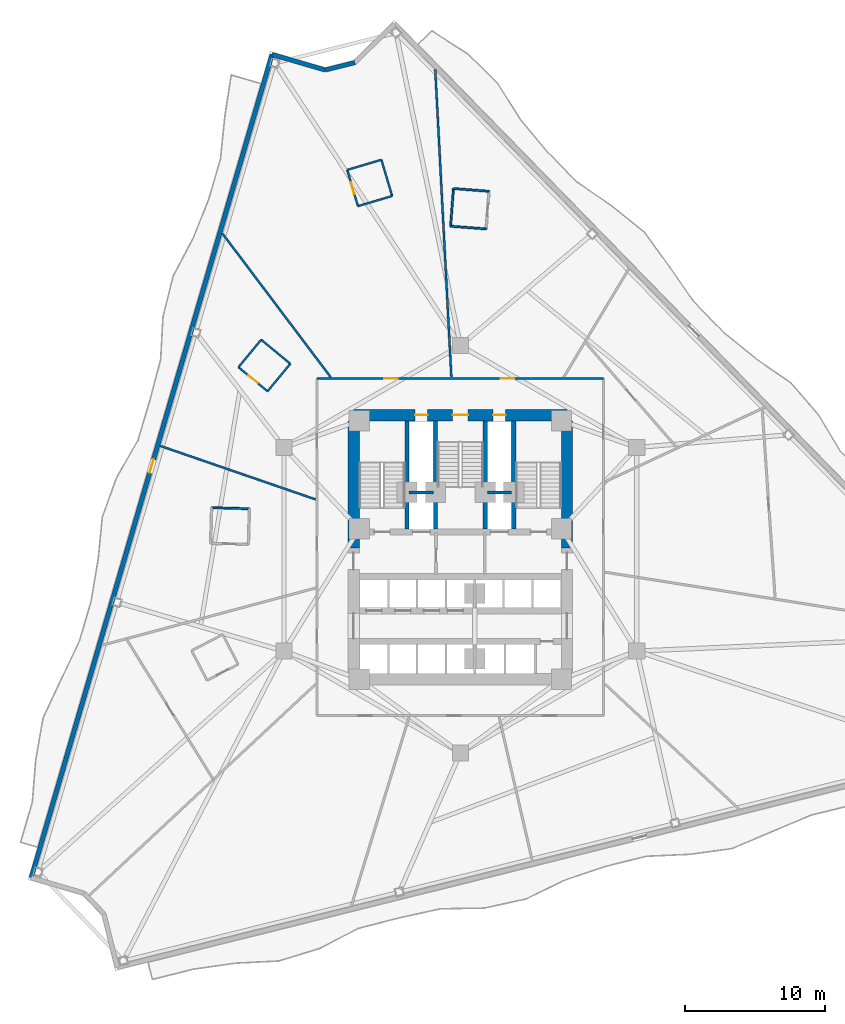
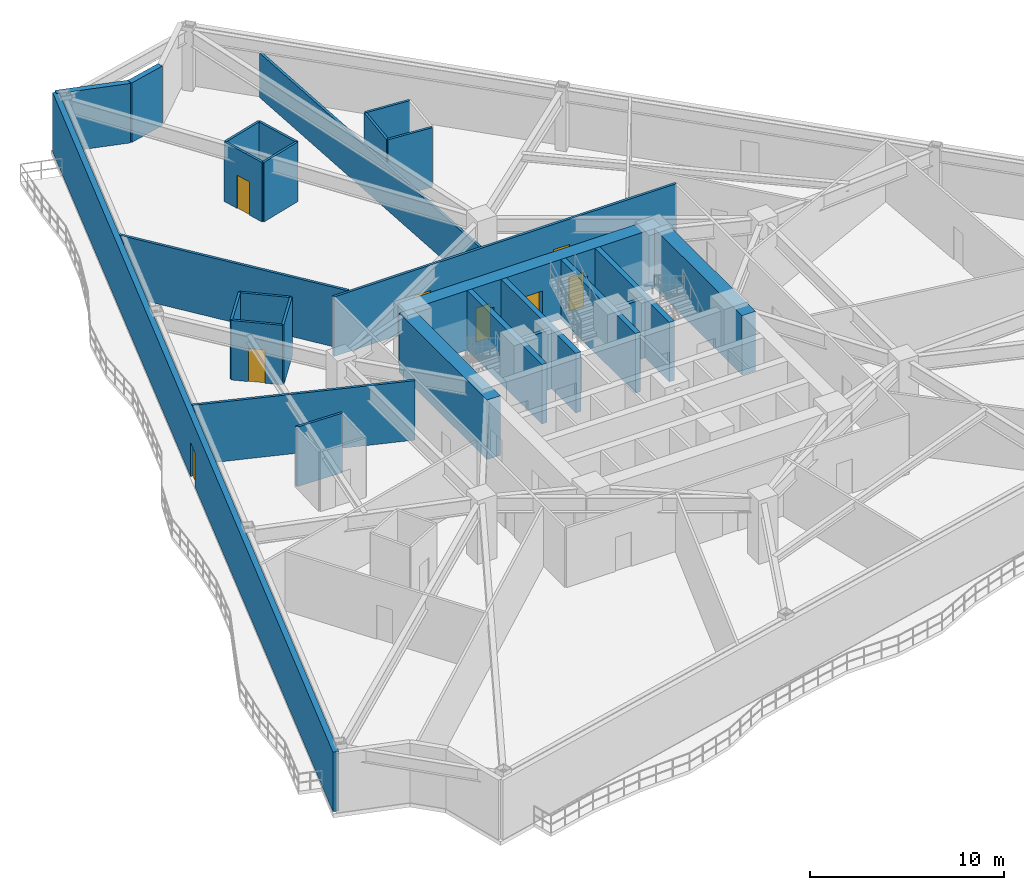
# One storey, part 5 of 10: 28 walls, 8 doors, 8 openings.
"""IFC4 building model written with IfcOpenShell, lengths in metres."""

import ifcopenshell
import ifcopenshell.guid

model = None  # the IFC model being written
_history = None  # IfcOwnerHistory: only IFC2X3 demands one
_inside = {}  # id of a spatial element -> (the spatial element, [elements in it])
_under = {}  # id of a project, library or spatial element -> (it, [spatial elements below it])
_declared = {}  # id of a project -> (the project, [libraries it declares])
_typed = {}  # id of a type object -> (the type object, [elements of that type])
_made_of = {}  # id of a material, layer set ... -> (it, [elements and type objects made of it])


def new_model(schema):
    """Start an empty IFC model of exactly this schema.

    Asked for "IFC4X3", IfcOpenShell would pick the latest addendum, in which some entities
    have other attributes; the version numbers below select the first issue.
    IFC2X3 requires an IfcOwnerHistory on every rooted entity: one is made here for all.
    """
    global model, _history
    if schema == "IFC4X3":
        model = ifcopenshell.file(schema_version=(4, 3, 0, 0))
    else:
        model = ifcopenshell.file(schema=schema)
    _inside.clear()
    _under.clear()
    _declared.clear()
    _typed.clear()
    _made_of.clear()
    _history = None
    if model.schema == "IFC2X3":
        org = make("IfcOrganization", Name="unknown")
        user = make(
            "IfcPersonAndOrganization",
            ThePerson=make("IfcPerson", FamilyName="unknown"),
            TheOrganization=org,
        )
        app = make(
            "IfcApplication",
            ApplicationDeveloper=org,
            Version="unknown",
            ApplicationFullName="unknown",
            ApplicationIdentifier="unknown",
        )
        _history = make(
            "IfcOwnerHistory",
            OwningUser=user,
            OwningApplication=app,
            ChangeAction="ADDED",
            CreationDate=0,
        )
    return model


def make(cls, **values):
    """One entity of the class cls with the attributes given. An attribute that is None is left unset."""
    return model.create_entity(
        cls, **{name: value for name, value in values.items() if value is not None}
    )


def rooted(cls, **values):
    """An entity with a GlobalId (a new one), such as an element, a storey or a relation."""
    return make(cls, GlobalId=ifcopenshell.guid.new(), OwnerHistory=_history, **values)


def si_unit(unit_type, name, prefix=None):
    """IfcSIUnit, for example si_unit("LENGTHUNIT", "METRE", prefix="MILLI")."""
    return make("IfcSIUnit", UnitType=unit_type, Prefix=prefix, Name=name)


def assignment(units):
    """IfcUnitAssignment: the units of a project."""
    return None if units is None else make("IfcUnitAssignment", Units=units)


def point(xyz):
    """IfcCartesianPoint."""
    return None if xyz is None else make("IfcCartesianPoint", Coordinates=xyz)


def direction(xyz):
    """IfcDirection."""
    return None if xyz is None else make("IfcDirection", DirectionRatios=xyz)


def frame(location, z_axis=None, x_axis=None):
    """IfcAxis2Placement3D, a coordinate frame: its origin and axes. An axis left out is left unset."""
    return make(
        "IfcAxis2Placement3D",
        Location=point(location),
        Axis=direction(z_axis),
        RefDirection=direction(x_axis),
    )


def frame_2d(location, x_axis=None):
    """IfcAxis2Placement2D, a coordinate frame in the plane: its origin and x axis."""
    return make(
        "IfcAxis2Placement2D", Location=point(location), RefDirection=direction(x_axis)
    )


def origin():
    """The frame at (0, 0, 0) with its axes left unset."""
    return frame((0.0, 0.0, 0.0))


def place(relative_to, where):
    """IfcLocalPlacement: puts the frame where relative to a parent placement (None: the world)."""
    return make(
        "IfcLocalPlacement", PlacementRelTo=relative_to, RelativePlacement=where
    )


def context(
    kind, dimensions, precision=None, world=None, true_north=None, identifier=None
):
    """IfcGeometricRepresentationContext, for example the 3D "Model" context."""
    return make(
        "IfcGeometricRepresentationContext",
        ContextIdentifier=identifier,
        ContextType=kind,
        CoordinateSpaceDimension=dimensions,
        Precision=precision,
        WorldCoordinateSystem=world,
        TrueNorth=true_north,
    )


def subcontext(parent, identifier, kind, view, scale=None):
    """IfcGeometricRepresentationSubContext, for example "Body" below "Model"."""
    return make(
        "IfcGeometricRepresentationSubContext",
        ContextIdentifier=identifier,
        ContextType=kind,
        ParentContext=parent,
        TargetScale=scale,
        TargetView=view,
    )


def project(units=None, contexts=None):
    """IfcProject with its units and contexts."""
    return rooted(
        "IfcProject",
        Name="project",
        RepresentationContexts=contexts,
        UnitsInContext=assignment(units),
    )


def spatial(cls, under=None, at=None, **own):
    """A site, building, storey or space (cls), placed at a placement, below another one or the project."""
    s = rooted(cls, ObjectPlacement=at, **own)
    if under is not None:
        _under.setdefault(under.id(), (under, []))[1].append(s)
    return s


def profile(cls, at=None, kind="AREA", **sizes):
    """A parametric profile (cls). Its sizes go by their IFC names, for example OverallWidth=200.0."""
    return make(cls, ProfileType=kind, Position=at, **sizes)


def rectangle(**sizes):
    """IfcRectangleProfileDef."""
    return profile("IfcRectangleProfileDef", **sizes)


def extrude(swept, where, along, depth):
    """IfcExtrudedAreaSolid: the profile swept, set in the frame where, extruded along a direction by depth."""
    return make(
        "IfcExtrudedAreaSolid",
        SweptArea=swept,
        Position=where,
        ExtrudedDirection=direction(along),
        Depth=depth,
    )


def shape(context_of_items, identifier, shape_type, items):
    """IfcShapeRepresentation: the items that make up one representation, for example the "Body"."""
    return make(
        "IfcShapeRepresentation",
        ContextOfItems=context_of_items,
        RepresentationIdentifier=identifier,
        RepresentationType=shape_type,
        Items=items,
    )


def material(Name=None, Category=None):
    """IfcMaterial."""
    return make("IfcMaterial", Name=Name, Category=Category)


def layer(
    of_material, thickness, ventilated=None, Name=None, Category=None, Priority=None
):
    """IfcMaterialLayer: one layer of a wall or slab, of a material (None: an air gap)."""
    return make(
        "IfcMaterialLayer",
        Material=of_material,
        LayerThickness=thickness,
        IsVentilated=ventilated,
        Name=Name,
        Category=Category,
        Priority=Priority,
    )


def layer_set(layers, Name=None):
    """IfcMaterialLayerSet."""
    return make("IfcMaterialLayerSet", MaterialLayers=layers, LayerSetName=Name)


def made_of(thing, what):
    """Note that an element or type object is made of a material, layer set ...; save() writes the relation."""
    if what is not None:
        _made_of.setdefault(what.id(), (what, []))[1].append(thing)
    return thing


def type_object(cls, material=None, **own):
    """A type object (cls), such as IfcWallType, which elements share."""
    return made_of(rooted(cls, **own), material)


def element(
    cls,
    number,
    at=None,
    inside=None,
    cuts=None,
    type_object=None,
    material=None,
    context=None,
    identifier="Body",
    shape_type=None,
    held_by="IfcProductDefinitionShape",
    body=None,
    shapes=None,
    **own,
):
    """One element of the class cls, such as IfcWall. Its Tag is "e" and its number.

    at: its placement. inside: the storey or other place that contains it. cuts: it is an
    opening in that element (IfcRelVoidsElement). A single representation is given by context,
    identifier, shape_type and body (its items); several are given by shapes. held_by: the class
    of the entity that holds the representations. save() writes the other relations.
    """
    e = rooted(cls, Tag="e%d" % number, ObjectPlacement=at, **own)
    if body is not None:
        shapes = [shape(context, identifier, shape_type, body)]
    if shapes is not None:
        e.Representation = make(held_by, Representations=shapes)
    if inside is not None:
        _inside.setdefault(inside.id(), (inside, []))[1].append(e)
    if cuts is not None:
        rooted(
            "IfcRelVoidsElement", RelatingBuildingElement=cuts, RelatedOpeningElement=e
        )
    if type_object is not None:
        _typed.setdefault(type_object.id(), (type_object, []))[1].append(e)
    return made_of(e, material)


def fill(opening, filler):
    """IfcRelFillsElement: the door or window that sits in an opening."""
    return rooted(
        "IfcRelFillsElement",
        RelatingOpeningElement=opening,
        RelatedBuildingElement=filler,
    )


def aggregate(whole, parts):
    """IfcRelAggregates: a whole, such as a stair, and the parts it consists of."""
    return rooted("IfcRelAggregates", RelatingObject=whole, RelatedObjects=parts)


def save(model, path):
    """Write the relations noted so far, then the file.

    IfcRelAggregates (storeys below a building ...), IfcRelContainedInSpatialStructure (elements
    in a storey), IfcRelDefinesByType, IfcRelAssociatesMaterial and IfcRelDeclares: one each for
    every whole, place, type object, material and project.
    """
    for whole, parts in _under.values():
        aggregate(whole, parts)
    for where, things in _inside.values():
        rooted(
            "IfcRelContainedInSpatialStructure",
            RelatedElements=things,
            RelatingStructure=where,
        )
    for kind, things in _typed.values():
        rooted("IfcRelDefinesByType", RelatedObjects=things, RelatingType=kind)
    for what, things in _made_of.values():
        rooted("IfcRelAssociatesMaterial", RelatedObjects=things, RelatingMaterial=what)
    for by, libraries in _declared.values():
        rooted("IfcRelDeclares", RelatingContext=by, RelatedDefinitions=libraries)
    model.write(path)


model = new_model("IFC4")

# Units and contexts
model_context = context("Model", 3, precision=1e-05, world=origin(), true_north=direction((0.0, 1.0)))
body_context = subcontext(model_context, "Body", "Model", "MODEL_VIEW")
ifc_project = project(units=[si_unit("LENGTHUNIT", "METRE"), si_unit("AREAUNIT", "SQUARE_METRE"), si_unit("VOLUMEUNIT", "CUBIC_METRE"), si_unit("PLANEANGLEUNIT", "RADIAN"), si_unit("MASSUNIT", "GRAM", prefix="KILO")], contexts=[model_context])

# Site, building, storey
site_placement = place(None, origin())
site = spatial("IfcSite", under=ifc_project, at=site_placement, CompositionType="ELEMENT")
building_placement = place(site_placement, origin())
building = spatial("IfcBuilding", under=site, at=building_placement, Name="Apsidion Concourse Tower", CompositionType="ELEMENT")
storey_placement = place(building_placement, frame((0.0, 0.0, 115.0)))
storey = spatial("IfcBuildingStorey", under=building, at=storey_placement, Name="L26", CompositionType="ELEMENT", Elevation=115.0)

# Wall, opening, door
ifc_material_1 = material(Name="Precast concrete C40/50", Category="concrete")
ifc_layer_1 = layer(ifc_material_1, 0.320068359375)
ifc_layer_set_1 = layer_set([ifc_layer_1], Name="Precast concrete C40/50")
wall_type_1 = type_object("IfcWallType", Name="WL-EXT-320", PredefinedType="STANDARD", material=ifc_layer_set_1)
wall_1_placement = place(storey_placement, frame((-30.55908203125, -23.389404296875, 0.0), z_axis=(0.0, 0.0, 1.0), x_axis=(0.280769703207, 0.95977516834, 0.0)))
wall_1 = element("IfcWall", 1, at=wall_1_placement, inside=storey, type_object=wall_type_1, Name="L26 Precast Stone Facade Wall 09", PredefinedType="STANDARD", context=body_context, shape_type="SweptSolid", body=[
    extrude(rectangle(XDim=61.07568359375, YDim=0.320068359375, at=frame_2d((30.537841796875, 0.0))), origin(), (0.0, 0.0, 1.0), 3.75),
])
opening_1_placement = place(wall_1_placement, frame((30.037841796875, 0.0, 0.0)))
opening_1 = element("IfcOpeningElement", 2, at=opening_1_placement, cuts=wall_1, Name="Opening D-T1L", PredefinedType="OPENING", context=body_context, shape_type="SweptSolid", body=[
    extrude(rectangle(XDim=1.0, YDim=2.14990234375, at=frame_2d((0.5, 1.074951171875))), frame((0.0, 0.169921875, 0.0), z_axis=(0.0, -1.0, 0.0), x_axis=(1.0, 0.0, 0.0)), (0.0, 0.0, 1.0), 0.340087890625),
])
ifc_material_2 = material(Name="Anodised aluminium EN AW-6063 T6", Category="aluminium")
door_type_1 = type_object("IfcDoorType", Name="DR-TER-1022L", OperationType="SINGLE_SWING_LEFT", PredefinedType="DOOR", material=ifc_material_2)
door_1_placement = place(opening_1_placement, origin())
door_1 = element("IfcDoor", 3, at=door_1_placement, inside=storey, type_object=door_type_1, Name="L26 Balcony Access Door 1", OperationType="SINGLE_SWING_LEFT", OverallHeight=2.14990234375, OverallWidth=1.0, PredefinedType="DOOR", context=body_context, shape_type="SweptSolid", body=[
    extrude(rectangle(XDim=1.0, YDim=2.14990234375, at=frame_2d((0.5, 1.074951171875))), frame((0.0, 0.02490234375, 0.0), z_axis=(0.0, -1.0, 0.0), x_axis=(1.0, 0.0, 0.0)), (0.0, 0.0, 1.0), 0.050048828125),
])
fill(opening_1, door_1)

# Walls
wall_2_placement = place(storey_placement, frame((-13.410888671875, 35.2294921875, 0.0), z_axis=(0.0, 0.0, 1.0), x_axis=(0.959788404321, -0.280724453747, 0.0)))
element("IfcWall", 4, at=wall_2_placement, inside=storey, type_object=wall_type_1, Name="L26 Precast Stone Facade Wall 10", PredefinedType="STANDARD", context=body_context, shape_type="SweptSolid", body=[
    extrude(rectangle(XDim=3.93359375, YDim=0.320068359375, at=frame_2d((1.966796875, 0.0))), origin(), (0.0, 0.0, 1.0), 3.75),
])
wall_3_placement = place(storey_placement, frame((-9.635498046875, 34.125244140625, 0.0), z_axis=(0.0, 0.0, 1.0), x_axis=(0.970306423964, 0.241878985475, 0.0)))
element("IfcWall", 5, at=wall_3_placement, inside=storey, type_object=wall_type_1, Name="L26 Precast Stone Facade Wall 11", PredefinedType="STANDARD", context=body_context, shape_type="SweptSolid", body=[
    extrude(rectangle(XDim=2.187255859375, YDim=0.320068359375, at=frame_2d((1.09375, 0.0))), origin(), (0.0, 0.0, 1.0), 3.75),
])
ifc_material_3 = material(Name="Gypsum plasterboard partition")
ifc_layer_2 = layer(ifc_material_3, 0.139892578125)
ifc_layer_set_2 = layer_set([ifc_layer_2], Name="Gypsum plasterboard partition")
wall_type_2 = type_object("IfcWallType", Name="WL-INT-PAR-140", PredefinedType="PARTITIONING", material=ifc_layer_set_2)
wall_4_placement = place(storey_placement, frame((2.04052734375, 25.48828125, 0.0), z_axis=(0.0, 0.0, 1.0), x_axis=(-0.997046564476, 0.076799402778, 0.0)))
element("IfcWall", 6, at=wall_4_placement, inside=storey, type_object=wall_type_2, Name="L26 Interior Partition WL-L26-POD-ENS07-S2", PredefinedType="PARTITIONING", context=body_context, shape_type="SweptSolid", body=[
    extrude(rectangle(XDim=2.5400390625, YDim=0.139892578125, at=frame_2d((1.27001953125, 0.0))), origin(), (0.0, 0.0, 1.0), 3.75),
])
wall_5_placement = place(storey_placement, frame((-0.491943359375, 25.683349609375, 0.0), z_axis=(0.0, 0.0, 1.0), x_axis=(-0.076689558651, -0.997055019341, 0.0)))
element("IfcWall", 7, at=wall_5_placement, inside=storey, type_object=wall_type_2, Name="L26 Interior Partition WL-L26-POD-ENS07-S3", PredefinedType="PARTITIONING", context=body_context, shape_type="SweptSolid", body=[
    extrude(rectangle(XDim=2.68994140625, YDim=0.139892578125, at=frame_2d((1.344970703125, 0.0))), origin(), (0.0, 0.0, 1.0), 3.75),
])
wall_6_placement = place(storey_placement, frame((-0.6982421875, 23.001220703125, 0.0), z_axis=(0.0, 0.0, 1.0), x_axis=(0.997053920062, -0.076703849244, 0.0)))
element("IfcWall", 8, at=wall_6_placement, inside=storey, type_object=wall_type_2, Name="L26 Interior Partition WL-L26-POD-ENS07-S4", PredefinedType="PARTITIONING", context=body_context, shape_type="SweptSolid", body=[
    extrude(rectangle(XDim=2.5400390625, YDim=0.139892578125, at=frame_2d((1.27001953125, 0.0))), origin(), (0.0, 0.0, 1.0), 3.75),
])
wall_7_placement = place(storey_placement, frame((-4.85888671875, 25.152587890625, 0.0), z_axis=(0.0, 0.0, 1.0), x_axis=(-0.283973996327, 0.958831981846, 0.0)))
element("IfcWall", 9, at=wall_7_placement, inside=storey, type_object=wall_type_2, Name="L26 Interior Partition WL-L26-POD-ENS08-S1", PredefinedType="PARTITIONING", context=body_context, shape_type="SweptSolid", body=[
    extrude(rectangle(XDim=2.690185546875, YDim=0.139892578125, at=frame_2d((1.34521484375, 0.0))), origin(), (0.0, 0.0, 1.0), 3.75),
])
wall_8_placement = place(storey_placement, frame((-5.622802734375, 27.73193359375, 0.0), z_axis=(0.0, 0.0, 1.0), x_axis=(-0.95881265696, -0.284039238227, 0.0)))
element("IfcWall", 10, at=wall_8_placement, inside=storey, type_object=wall_type_2, Name="L26 Interior Partition WL-L26-POD-ENS08-S2", PredefinedType="PARTITIONING", context=body_context, shape_type="SweptSolid", body=[
    extrude(rectangle(XDim=2.539794921875, YDim=0.139892578125, at=frame_2d((1.27001953125, 0.0))), origin(), (0.0, 0.0, 1.0), 3.75),
])

# Wall, opening, door
wall_9_placement = place(storey_placement, frame((-8.05810546875, 27.010498046875, 0.0), z_axis=(0.0, 0.0, 1.0), x_axis=(0.283973996327, -0.958831981846, 0.0)))
wall_9 = element("IfcWall", 11, at=wall_9_placement, inside=storey, type_object=wall_type_2, Name="L26 Interior Partition WL-L26-POD-ENS08-S3", PredefinedType="PARTITIONING", context=body_context, shape_type="SweptSolid", body=[
    extrude(rectangle(XDim=2.690185546875, YDim=0.139892578125, at=frame_2d((1.34521484375, 0.0))), origin(), (0.0, 0.0, 1.0), 3.75),
])
opening_2_placement = place(wall_9_placement, frame((0.905029296875, 0.0, 0.0)))
opening_2 = element("IfcOpeningElement", 12, at=opening_2_placement, cuts=wall_9, Name="Opening D-03L", PredefinedType="OPENING", context=body_context, shape_type="SweptSolid", body=[
    extrude(rectangle(XDim=0.8798828125, YDim=2.10009765625, at=frame_2d((0.43994140625, 1.050048828125))), frame((0.0, 0.080078125, 0.0), z_axis=(0.0, -1.0, 0.0), x_axis=(1.0, 0.0, 0.0)), (0.0, 0.0, 1.0), 0.159912109375),
])
door_type_2 = type_object("IfcDoorType", Name="DR-INT-D03L", OperationType="SINGLE_SWING_LEFT", PredefinedType="DOOR", material=ifc_material_2)
door_2_placement = place(opening_2_placement, origin())
door_2 = element("IfcDoor", 13, at=door_2_placement, inside=storey, type_object=door_type_2, Name="L26 Guest En-Suite Bathroom Door ENS08", OperationType="SINGLE_SWING_LEFT", OverallHeight=2.10009765625, OverallWidth=0.8798828125, PredefinedType="DOOR", context=body_context, shape_type="SweptSolid", body=[
    extrude(rectangle(XDim=0.8798828125, YDim=2.10009765625, at=frame_2d((0.43994140625, 1.050048828125))), frame((0.0, 0.02490234375, 0.0), z_axis=(0.0, -1.0, 0.0), x_axis=(1.0, 0.0, 0.0)), (0.0, 0.0, 1.0), 0.050048828125),
])
fill(opening_2, door_2)

# Walls
wall_10_placement = place(storey_placement, frame((-7.294189453125, 24.43115234375, 0.0), z_axis=(0.0, 0.0, 1.0), x_axis=(0.95881265696, 0.284039238227, 0.0)))
element("IfcWall", 14, at=wall_10_placement, inside=storey, type_object=wall_type_2, Name="L26 Interior Partition WL-L26-POD-ENS08-S4", PredefinedType="PARTITIONING", context=body_context, shape_type="SweptSolid", body=[
    extrude(rectangle(XDim=2.539794921875, YDim=0.139892578125, at=frame_2d((1.27001953125, 0.0))), origin(), (0.0, 0.0, 1.0), 3.75),
])
wall_11_placement = place(storey_placement, frame((-12.110107421875, 13.20654296875, 0.0), z_axis=(0.0, 0.0, 1.0), x_axis=(-0.770537260361, 0.637394956362, 0.0)))
element("IfcWall", 15, at=wall_11_placement, inside=storey, type_object=wall_type_2, Name="L26 Interior Partition WL-L26-POD-ENS09-S1", PredefinedType="PARTITIONING", context=body_context, shape_type="SweptSolid", body=[
    extrude(rectangle(XDim=2.68994140625, YDim=0.139892578125, at=frame_2d((1.344970703125, 0.0))), origin(), (0.0, 0.0, 1.0), 3.75),
])
wall_12_placement = place(storey_placement, frame((-14.182861328125, 14.921142578125, 0.0), z_axis=(0.0, 0.0, 1.0), x_axis=(-0.63745754777, -0.770485479935, 0.0)))
element("IfcWall", 16, at=wall_12_placement, inside=storey, type_object=wall_type_2, Name="L26 Interior Partition WL-L26-POD-ENS09-S2", PredefinedType="PARTITIONING", context=body_context, shape_type="SweptSolid", body=[
    extrude(rectangle(XDim=2.5400390625, YDim=0.139892578125, at=frame_2d((1.27001953125, 0.0))), origin(), (0.0, 0.0, 1.0), 3.75),
])

# Wall, opening, door
wall_13_placement = place(storey_placement, frame((-15.802001953125, 12.964111328125, 0.0), z_axis=(0.0, 0.0, 1.0), x_axis=(0.770537260361, -0.637394956362, 0.0)))
wall_13 = element("IfcWall", 17, at=wall_13_placement, inside=storey, type_object=wall_type_2, Name="L26 Interior Partition WL-L26-POD-ENS09-S3", PredefinedType="PARTITIONING", context=body_context, shape_type="SweptSolid", body=[
    extrude(rectangle(XDim=2.68994140625, YDim=0.139892578125, at=frame_2d((1.344970703125, 0.0))), origin(), (0.0, 0.0, 1.0), 3.75),
])
opening_3_placement = place(wall_13_placement, frame((0.905029296875, 0.0, 0.0)))
opening_3 = element("IfcOpeningElement", 18, at=opening_3_placement, cuts=wall_13, Name="Opening D-03R", PredefinedType="OPENING", context=body_context, shape_type="SweptSolid", body=[
    extrude(rectangle(XDim=0.8798828125, YDim=2.10009765625, at=frame_2d((0.43994140625, 1.050048828125))), frame((0.0, 0.080078125, 0.0), z_axis=(0.0, -1.0, 0.0), x_axis=(1.0, 0.0, 0.0)), (0.0, 0.0, 1.0), 0.159912109375),
])
door_type_3 = type_object("IfcDoorType", Name="DR-INT-D03R", OperationType="SINGLE_SWING_RIGHT", PredefinedType="DOOR", material=ifc_material_2)
door_3_placement = place(opening_3_placement, origin())
door_3 = element("IfcDoor", 19, at=door_3_placement, inside=storey, type_object=door_type_3, Name="L26 Guest En-Suite Bathroom Door ENS09", OperationType="SINGLE_SWING_RIGHT", OverallHeight=2.10009765625, OverallWidth=0.8798828125, PredefinedType="DOOR", context=body_context, shape_type="SweptSolid", body=[
    extrude(rectangle(XDim=0.8798828125, YDim=2.10009765625, at=frame_2d((0.43994140625, 1.050048828125))), frame((0.0, 0.02490234375, 0.0), z_axis=(0.0, -1.0, 0.0), x_axis=(1.0, 0.0, 0.0)), (0.0, 0.0, 1.0), 0.050048828125),
])
fill(opening_3, door_3)

# Walls
wall_14_placement = place(storey_placement, frame((-13.729248046875, 11.24951171875, 0.0), z_axis=(0.0, 0.0, 1.0), x_axis=(0.63745754777, 0.770485479935, 0.0)))
element("IfcWall", 20, at=wall_14_placement, inside=storey, type_object=wall_type_2, Name="L26 Interior Partition WL-L26-POD-ENS09-S4", PredefinedType="PARTITIONING", context=body_context, shape_type="SweptSolid", body=[
    extrude(rectangle(XDim=2.5400390625, YDim=0.139892578125, at=frame_2d((1.27001953125, 0.0))), origin(), (0.0, 0.0, 1.0), 3.75),
])
wall_15_placement = place(storey_placement, frame((-15.022216796875, 2.884521484375, 0.0), z_axis=(0.0, 0.0, 1.0), x_axis=(-0.999609225093, 0.027953481145, 0.0)))
element("IfcWall", 21, at=wall_15_placement, inside=storey, type_object=wall_type_2, Name="L26 Interior Partition WL-L26-POD-ENS10-S1", PredefinedType="PARTITIONING", context=body_context, shape_type="SweptSolid", body=[
    extrude(rectangle(XDim=2.68994140625, YDim=0.139892578125, at=frame_2d((1.344970703125, 0.0))), origin(), (0.0, 0.0, 1.0), 3.75),
])

# Wall, openings, doors
ifc_layer_3 = layer(ifc_material_3, 0.14990234375)
ifc_layer_set_3 = layer_set([ifc_layer_3], Name="Gypsum plasterboard partition")
wall_type_3 = type_object("IfcWallType", Name="WL-INT-PAR-150", PredefinedType="PARTITIONING", material=ifc_layer_set_3)
wall_16_placement = place(storey_placement, frame((-10.199951171875, 12.14990234375, 0.0), z_axis=(0.0, 0.0, 1.0), x_axis=(1.0, 0.0, 0.0)))
wall_16 = element("IfcWall", 22, at=wall_16_placement, inside=storey, type_object=wall_type_3, Name="L26 Interior Partition WL-L26-CORR-01", PredefinedType="PARTITIONING", context=body_context, shape_type="SweptSolid", body=[
    extrude(rectangle(XDim=20.39990234375, YDim=0.14990234375, at=frame_2d((10.199951171875, 0.0))), origin(), (0.0, 0.0, 1.0), 3.75),
])
opening_4_placement = place(wall_16_placement, frame((13.080810546875, 0.0, 0.0)))
opening_4 = element("IfcOpeningElement", 23, at=opening_4_placement, cuts=wall_16, Name="Opening D-01R", PredefinedType="OPENING", context=body_context, shape_type="SweptSolid", body=[
    extrude(rectangle(XDim=0.949951171875, YDim=2.14990234375, at=frame_2d((0.47509765625, 1.074951171875))), frame((0.0, 0.0849609375, 0.0), z_axis=(0.0, -1.0, 0.0), x_axis=(1.0, 0.0, 0.0)), (0.0, 0.0, 1.0), 0.169921875),
])
opening_5_placement = place(wall_16_placement, frame((4.7880859375, 0.0, 0.0)))
opening_5 = element("IfcOpeningElement", 24, at=opening_5_placement, cuts=wall_16, Name="Opening D-01L", PredefinedType="OPENING", context=body_context, shape_type="SweptSolid", body=[
    extrude(rectangle(XDim=0.949951171875, YDim=2.14990234375, at=frame_2d((0.47509765625, 1.074951171875))), frame((0.0, 0.0849609375, 0.0), z_axis=(0.0, -1.0, 0.0), x_axis=(1.0, 0.0, 0.0)), (0.0, 0.0, 1.0), 0.169921875),
])
ifc_material_4 = material(Name="Brushed stainless steel 316", Category="steel")
door_type_4 = type_object("IfcDoorType", Name="DR-INT-D01L", OperationType="SINGLE_SWING_LEFT", PredefinedType="DOOR", material=ifc_material_4)
door_4_placement = place(opening_5_placement, origin())
door_4 = element("IfcDoor", 25, at=door_4_placement, inside=storey, type_object=door_type_4, Name="L26 Corridor Entry Door 09", OperationType="SINGLE_SWING_LEFT", OverallHeight=2.14990234375, OverallWidth=0.949951171875, PredefinedType="DOOR", context=body_context, shape_type="SweptSolid", body=[
    extrude(rectangle(XDim=0.949951171875, YDim=2.14990234375, at=frame_2d((0.47509765625, 1.074951171875))), frame((0.0, 0.02490234375, 0.0), z_axis=(0.0, -1.0, 0.0), x_axis=(1.0, 0.0, 0.0)), (0.0, 0.0, 1.0), 0.050048828125),
])
fill(opening_5, door_4)
door_type_5 = type_object("IfcDoorType", Name="DR-INT-D01R", OperationType="SINGLE_SWING_RIGHT", PredefinedType="DOOR", material=ifc_material_4)
door_5_placement = place(opening_4_placement, origin())
door_5 = element("IfcDoor", 26, at=door_5_placement, inside=storey, type_object=door_type_5, Name="L26 Corridor Entry Door 08", OperationType="SINGLE_SWING_RIGHT", OverallHeight=2.14990234375, OverallWidth=0.949951171875, PredefinedType="DOOR", context=body_context, shape_type="SweptSolid", body=[
    extrude(rectangle(XDim=0.949951171875, YDim=2.14990234375, at=frame_2d((0.47509765625, 1.074951171875))), frame((0.0, 0.02490234375, 0.0), z_axis=(0.0, -1.0, 0.0), x_axis=(1.0, 0.0, 0.0)), (0.0, 0.0, 1.0), 0.050048828125),
])
fill(opening_4, door_5)

# Walls
wall_17_placement = place(storey_placement, frame((-0.642333984375, 12.2548828125, 0.0), z_axis=(0.0, 0.0, 1.0), x_axis=(-0.052336972547, 0.998629481492, 0.0)))
element("IfcWall", 27, at=wall_17_placement, inside=storey, type_object=wall_type_3, Name="L26 Interior Partition WL-L26-RAD-03-1", PredefinedType="PARTITIONING", context=body_context, shape_type="SweptSolid", body=[
    extrude(rectangle(XDim=21.94775390625, YDim=0.14990234375, at=frame_2d((10.973876953125, 0.0))), origin(), (0.0, 0.0, 1.0), 2.798095703125),
])
wall_18_placement = place(storey_placement, frame((-9.23486328125, 12.2548828125, 0.0), z_axis=(0.0, 0.0, 1.0), x_axis=(-0.60180765782, 0.79864106017, 0.0)))
element("IfcWall", 28, at=wall_18_placement, inside=storey, type_object=wall_type_3, Name="L26 Interior Partition WL-L26-RAD-04-1", PredefinedType="PARTITIONING", context=body_context, shape_type="SweptSolid", body=[
    extrude(rectangle(XDim=12.8251953125, YDim=0.14990234375, at=frame_2d((6.41259765625, 0.0))), origin(), (0.0, 0.0, 1.0), 3.75),
])
wall_19_placement = place(storey_placement, frame((-10.304931640625, 3.54833984375, 0.0), z_axis=(0.0, 0.0, 1.0), x_axis=(-0.945517077529, 0.325572505138, 0.0)))
element("IfcWall", 29, at=wall_19_placement, inside=storey, type_object=wall_type_3, Name="L26 Interior Partition WL-L26-RAD-05-1", PredefinedType="PARTITIONING", context=body_context, shape_type="SweptSolid", body=[
    extrude(rectangle(XDim=11.7138671875, YDim=0.14990234375, at=frame_2d((5.85693359375, 0.0))), origin(), (0.0, 0.0, 1.0), 3.75),
])
ifc_layer_4 = layer(ifc_material_3, 0.199951171875)
ifc_layer_set_4 = layer_set([ifc_layer_4], Name="Gypsum plasterboard partition")
wall_type_4 = type_object("IfcWallType", Name="WL-INT-PAR-200", PredefinedType="PARTITIONING", material=ifc_layer_set_4)
for number, where, z_axis, x_axis, name in (
    (30, (-3.64990234375, 4.050048828125, 0.0), (0.0, 0.0, 1.0), (1.0, 0.0, 0.0), "L26 Interior Partition WL-L26-FF1-N"),
    (31, (1.919921875, 4.050048828125, 0.0), (0.0, 0.0, 1.0), (1.0, 0.0, 0.0), "L26 Interior Partition WL-L26-FF2-N"),
):
    element("IfcWall", number, at=place(storey_placement, frame(where, z_axis=z_axis, x_axis=x_axis)), inside=storey, type_object=wall_type_4, Name=name, PredefinedType="PARTITIONING", context=body_context, shape_type="SweptSolid", body=[
        extrude(rectangle(XDim=1.72998046875, YDim=0.199951171875, at=frame_2d((0.864990234375, 0.0))), origin(), (0.0, 0.0, 1.0), 3.75),
    ])
ifc_material_5 = material(Name="Concrete C50/60", Category="concrete")
ifc_layer_5 = layer(ifc_material_5, 0.300048828125)
ifc_layer_set_5 = layer_set([ifc_layer_5], Name="Concrete C50/60")
wall_type_5 = type_object("IfcWallType", Name="WL-SH-300", PredefinedType="SHEAR", material=ifc_layer_set_5)
for number, where, z_axis, x_axis, name in (
    (32, (-3.800048828125, 1.449951171875, 0.0), (0.0, 0.0, 1.0), (0.0, 1.0, 0.0), "L26 Central Core Shear Wall V1"),
    (33, (-1.77490234375, 1.449951171875, 0.0), (0.0, 0.0, 1.0), (0.0, 1.0, 0.0), "L26 Central Core Shear Wall V2"),
    (34, (1.77490234375, 1.449951171875, 0.0), (0.0, 0.0, 1.0), (0.0, 1.0, 0.0), "L26 Central Core Shear Wall V3"),
    (35, (3.800048828125, 1.449951171875, 0.0), (0.0, 0.0, 1.0), (0.0, 1.0, 0.0), "L26 Central Core Shear Wall V4"),
):
    element("IfcWall", number, at=place(storey_placement, frame(where, z_axis=z_axis, x_axis=x_axis)), inside=storey, type_object=wall_type_5, Name=name, PredefinedType="SHEAR", context=body_context, shape_type="SweptSolid", body=[
        extrude(rectangle(XDim=7.699951171875, YDim=0.300048828125, at=frame_2d((3.85009765625, 0.0))), origin(), (0.0, 0.0, 1.0), 3.75),
    ])

# Wall, openings, doors
ifc_material_6 = material(Name="Concrete C60/75", Category="concrete")
ifc_layer_6 = layer(ifc_material_6, 0.800048828125)
ifc_layer_set_6 = layer_set([ifc_layer_6], Name="Concrete C60/75")
wall_type_6 = type_object("IfcWallType", Name="WL-SH-800", PredefinedType="SHEAR", material=ifc_layer_set_6)
wall_20_placement = place(storey_placement, frame((-7.60009765625, 9.550048828125, 0.0), z_axis=(0.0, 0.0, 1.0), x_axis=(1.0, 0.0, 0.0)))
wall_20 = element("IfcWall", 36, at=wall_20_placement, inside=storey, type_object=wall_type_6, Name="L26 Central Core Shear Wall N", PredefinedType="SHEAR", context=body_context, shape_type="SweptSolid", body=[
    extrude(rectangle(XDim=15.2001953125, YDim=0.800048828125, at=frame_2d((7.60009765625, 0.0))), origin(), (0.0, 0.0, 1.0), 3.75),
])
opening_6_placement = place(wall_20_placement, frame((7.050048828125, 0.0, 0.0)))
opening_6 = element("IfcOpeningElement", 37, at=opening_6_placement, cuts=wall_20, Name="Opening D-STL", PredefinedType="OPENING", context=body_context, shape_type="SweptSolid", body=[
    extrude(rectangle(XDim=1.10009765625, YDim=2.14990234375, at=frame_2d((0.550048828125, 1.074951171875))), frame((0.0, 0.41015625, 0.0), z_axis=(0.0, -1.0, 0.0), x_axis=(1.0, 0.0, 0.0)), (0.0, 0.0, 1.0), 0.820068359375),
])
opening_7_placement = place(wall_20_placement, frame((4.3798828125, 0.0, 0.0)))
opening_7 = element("IfcOpeningElement", 38, at=opening_7_placement, cuts=wall_20, Name="Opening D-05L", PredefinedType="OPENING", context=body_context, shape_type="SweptSolid", body=[
    extrude(rectangle(XDim=0.8798828125, YDim=2.14990234375, at=frame_2d((0.43994140625, 1.074951171875))), frame((0.0, 0.41015625, 0.0), z_axis=(0.0, -1.0, 0.0), x_axis=(1.0, 0.0, 0.0)), (0.0, 0.0, 1.0), 0.820068359375),
])
opening_8_placement = place(wall_20_placement, frame((9.93994140625, 0.0, 0.0)))
opening_8 = element("IfcOpeningElement", 39, at=opening_8_placement, cuts=wall_20, Name="Opening D-05R", PredefinedType="OPENING", context=body_context, shape_type="SweptSolid", body=[
    extrude(rectangle(XDim=0.8798828125, YDim=2.14990234375, at=frame_2d((0.43994140625, 1.074951171875))), frame((0.0, 0.41015625, 0.0), z_axis=(0.0, -1.0, 0.0), x_axis=(1.0, 0.0, 0.0)), (0.0, 0.0, 1.0), 0.820068359375),
])
door_type_6 = type_object("IfcDoorType", Name="DR-INT-D05L", OperationType="SINGLE_SWING_LEFT", PredefinedType="DOOR", material=ifc_material_4)
door_6_placement = place(opening_7_placement, origin())
door_6 = element("IfcDoor", 40, at=door_6_placement, inside=storey, type_object=door_type_6, Name="L26 Electrical Riser Shaft Access Door", OperationType="SINGLE_SWING_LEFT", OverallHeight=2.14990234375, OverallWidth=0.8798828125, PredefinedType="DOOR", context=body_context, shape_type="SweptSolid", body=[
    extrude(rectangle(XDim=0.8798828125, YDim=2.14990234375, at=frame_2d((0.43994140625, 1.074951171875))), frame((0.0, 0.02490234375, 0.0), z_axis=(0.0, -1.0, 0.0), x_axis=(1.0, 0.0, 0.0)), (0.0, 0.0, 1.0), 0.050048828125),
])
fill(opening_7, door_6)
door_type_7 = type_object("IfcDoorType", Name="DR-INT-D05R", OperationType="SINGLE_SWING_RIGHT", PredefinedType="DOOR", material=ifc_material_4)
door_7_placement = place(opening_8_placement, origin())
door_7 = element("IfcDoor", 41, at=door_7_placement, inside=storey, type_object=door_type_7, Name="L26 Mechanical Riser Shaft Access Door", OperationType="SINGLE_SWING_RIGHT", OverallHeight=2.14990234375, OverallWidth=0.8798828125, PredefinedType="DOOR", context=body_context, shape_type="SweptSolid", body=[
    extrude(rectangle(XDim=0.8798828125, YDim=2.14990234375, at=frame_2d((0.43994140625, 1.074951171875))), frame((0.0, 0.02490234375, 0.0), z_axis=(0.0, -1.0, 0.0), x_axis=(1.0, 0.0, 0.0)), (0.0, 0.0, 1.0), 0.050048828125),
])
fill(opening_8, door_7)
door_type_8 = type_object("IfcDoorType", Name="DR-INT-ST1L", OperationType="SINGLE_SWING_LEFT", PredefinedType="DOOR", material=ifc_material_4)
door_8_placement = place(opening_6_placement, origin())
door_8 = element("IfcDoor", 42, at=door_8_placement, inside=storey, type_object=door_type_8, Name="L26 Core Exit Stair ST3 Door", OperationType="SINGLE_SWING_LEFT", OverallHeight=2.14990234375, OverallWidth=1.10009765625, PredefinedType="DOOR", context=body_context, shape_type="SweptSolid", body=[
    extrude(rectangle(XDim=1.10009765625, YDim=2.14990234375, at=frame_2d((0.550048828125, 1.074951171875))), frame((0.0, 0.02490234375, 0.0), z_axis=(0.0, -1.0, 0.0), x_axis=(1.0, 0.0, 0.0)), (0.0, 0.0, 1.0), 0.050048828125),
])
fill(opening_6, door_8)

# Walls
for number, where, z_axis, x_axis, name in (
    (43, (-7.60009765625, 0.10009765625, 0.0), (0.0, 0.0, 1.0), (0.0, 1.0, 0.0), "L26 Central Core Shear Wall WN"),
    (44, (7.60009765625, 0.10009765625, 0.0), (0.0, 0.0, 1.0), (0.0, 1.0, 0.0), "L26 Central Core Shear Wall EN"),
):
    element("IfcWall", number, at=place(storey_placement, frame(where, z_axis=z_axis, x_axis=x_axis)), inside=storey, type_object=wall_type_6, Name=name, PredefinedType="SHEAR", context=body_context, shape_type="SweptSolid", body=[
        extrude(rectangle(XDim=9.0498046875, YDim=0.800048828125, at=frame_2d((4.52490234375, 0.0))), origin(), (0.0, 0.0, 1.0), 3.75),
    ])

save(model, "model.ifc")
